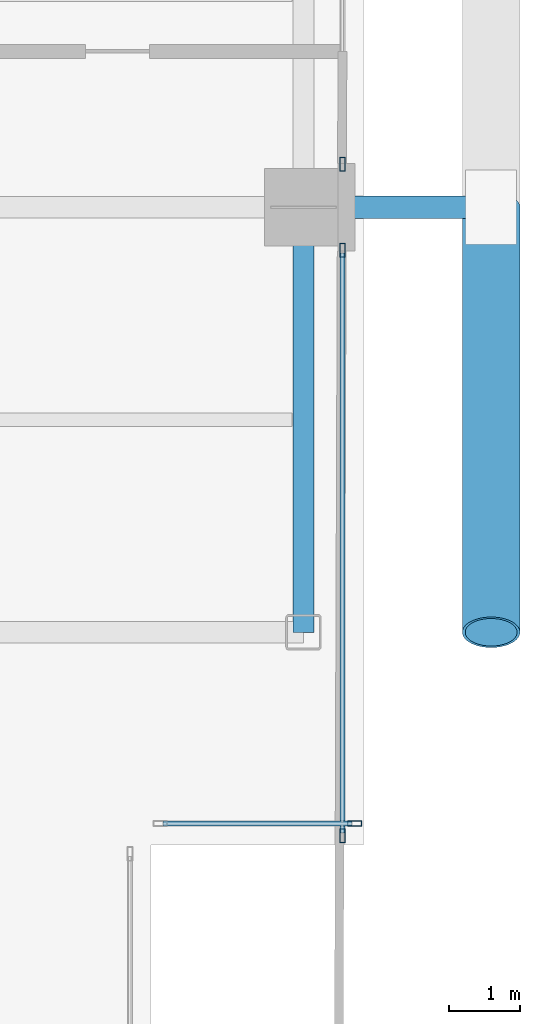
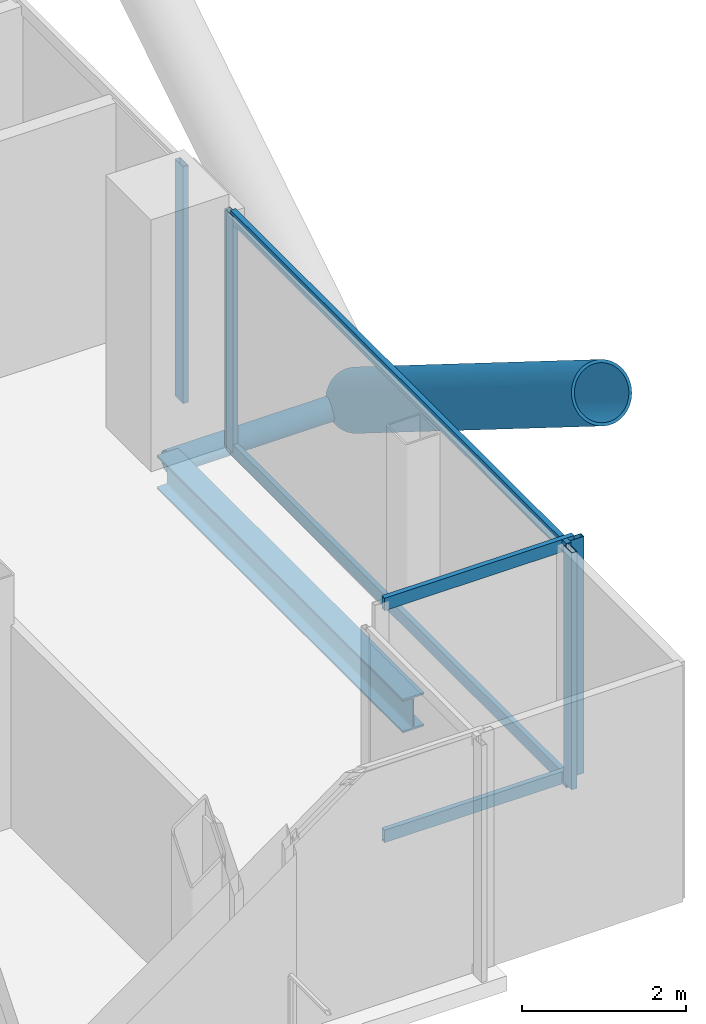
# One storey, part 12 of 28: 10 members, 1 beam, 3 elements without a shape of their own.
"""IFC4 building model written with IfcOpenShell, lengths in metres."""

from ifc_helpers import new_model, si_unit, direction, frame, origin, origin_2d, place, context, subcontext, project, spatial, hollow_rectangle, hollow_circle, i_section, extrude, material, layer, layer_set, material_profile, profile_set, type_object, element, aggregate, save


model = new_model("IFC4")

# Units and contexts
model_context = context("Model", 3, precision=1e-05, world=origin(), true_north=direction((0.0, 1.0)))
body_context = subcontext(model_context, "Body", "Model", "MODEL_VIEW")
ifc_project = project(units=[si_unit("LENGTHUNIT", "METRE"), si_unit("AREAUNIT", "SQUARE_METRE"), si_unit("VOLUMEUNIT", "CUBIC_METRE"), si_unit("PLANEANGLEUNIT", "RADIAN"), si_unit("MASSUNIT", "GRAM", prefix="KILO"), si_unit("THERMODYNAMICTEMPERATUREUNIT", "KELVIN"), si_unit("POWERUNIT", "WATT")], contexts=[model_context])

# Site, building, storey
site_placement = place(None, origin())
site = spatial("IfcSite", under=ifc_project, at=site_placement, CompositionType="ELEMENT")
building_placement = place(site_placement, origin())
building = spatial("IfcBuilding", under=site, at=building_placement, Name="Svarakhadi Broadcast Tower", CompositionType="ELEMENT")
storey_placement = place(building_placement, frame((0.0, 0.0, 153.14990234375)))
storey = spatial("IfcBuildingStorey", under=building, at=storey_placement, Name="L37", CompositionType="ELEMENT", Elevation=153.14990234375)

# Curtain wall, member
ifc_material_1 = material(Name="Anodised Bronze Aluminium AA 6063-T6", Category="aluminium")
ifc_layer = layer(ifc_material_1, 0.199951171875)
ifc_layer_set = layer_set([ifc_layer], Name="Anodised Bronze Aluminium AA 6063-T6")
curtain_wall_type = type_object("IfcCurtainWallType", Name="CW_Sys_03", PredefinedType="NOTDEFINED", material=ifc_layer_set)
curtain_wall_1_placement = place(storey_placement, origin())
curtain_wall_1 = element("IfcCurtainWall", 1, at=curtain_wall_1_placement, inside=storey, type_object=curtain_wall_type, Name="L37 Unitised Facade Curtain Wall 13 Bay 1", PredefinedType="NOTDEFINED")
ifc_material_profile_1 = material_profile(ifc_material_1, hollow_rectangle(XDim=0.074951171875, YDim=0.199951171875, WallThickness=0.005615234375, at=origin_2d()), Name="ALU MULLION 200x75x6")
ifc_profile_set_1 = profile_set([ifc_material_profile_1], Name="Anodised Bronze Aluminium AA 6063-T6")
member_type_1 = type_object("IfcMemberType", Name="CW_Sys_03_Mul", PredefinedType="MULLION", material=ifc_profile_set_1)
member_1_placement = place(storey_placement, frame((47.699951171875, 12.607421875, 0.0), z_axis=(0.0, 0.0, 1.0), x_axis=(1.0, 0.0, 0.0)))
member_1 = element("IfcMember", 2, at=member_1_placement, type_object=member_type_1, Name="CW-03 mullion 2", PredefinedType="MULLION", context=body_context, shape_type="SweptSolid", body=[
    extrude(hollow_rectangle(XDim=0.074951171875, YDim=0.199951171875, WallThickness=0.005615234375, at=origin_2d()), origin(), (0.0, 0.0, 1.0), 3.525146484375),
])
aggregate(curtain_wall_1, [member_1])

# Curtain wall, members
curtain_wall_2_placement = place(storey_placement, origin())
curtain_wall_2 = element("IfcCurtainWall", 3, at=curtain_wall_2_placement, inside=storey, type_object=curtain_wall_type, Name="L37 Unitised Facade Curtain Wall 13 Bay 2", PredefinedType="NOTDEFINED")
member_2_placement = place(storey_placement, frame((47.699951171875, 11.392578125, 0.0), z_axis=(0.0, 0.0, 1.0), x_axis=(1.0, 0.0, 0.0)))
member_2 = element("IfcMember", 4, at=member_2_placement, type_object=member_type_1, Name="CW-03 mullion 1", PredefinedType="MULLION", context=body_context, shape_type="SweptSolid", body=[
    extrude(hollow_rectangle(XDim=0.074951171875, YDim=0.199951171875, WallThickness=0.005615234375, at=origin_2d()), origin(), (0.0, 0.0, 1.0), 3.525146484375),
])
member_3_placement = place(storey_placement, frame((47.699951171875, 3.12744140625, 0.0), z_axis=(0.0, 0.0, 1.0), x_axis=(1.0, 0.0, 0.0)))
member_3 = element("IfcMember", 5, at=member_3_placement, type_object=member_type_1, Name="CW-03 mullion 2", PredefinedType="MULLION", context=body_context, shape_type="SweptSolid", body=[
    extrude(hollow_rectangle(XDim=0.074951171875, YDim=0.199951171875, WallThickness=0.005615234375, at=origin_2d()), origin(), (0.0, 0.0, 1.0), 3.525146484375),
])

# Curtain wall, member
curtain_wall_3_placement = place(storey_placement, origin())
curtain_wall_3 = element("IfcCurtainWall", 6, at=curtain_wall_3_placement, inside=storey, type_object=curtain_wall_type, Name="L37 Unitised Facade Curtain Wall 14", PredefinedType="NOTDEFINED")
member_4_placement = place(storey_placement, frame((47.87255859375, 3.300048828125, 0.0), z_axis=(0.0, 0.0, 1.0), x_axis=(0.0, -1.0, 0.0)))
member_4 = element("IfcMember", 7, at=member_4_placement, type_object=member_type_1, Name="CW-03 mullion 1", PredefinedType="MULLION", context=body_context, shape_type="SweptSolid", body=[
    extrude(hollow_rectangle(XDim=0.074951171875, YDim=0.199951171875, WallThickness=0.005615234375, at=origin_2d()), origin(), (0.0, 0.0, 1.0), 3.525146484375),
])

# Member
ifc_material_profile_2 = material_profile(ifc_material_1, hollow_rectangle(XDim=0.070068359375, YDim=0.18505859375, WallThickness=0.0048828125, at=origin_2d()), Name="ALU TRANSOM 185x70x5")
ifc_profile_set_2 = profile_set([ifc_material_profile_2], Name="Anodised Bronze Aluminium AA 6063-T6")
member_type_2 = type_object("IfcMemberType", Name="CW_Sys_03_Trn", PredefinedType="USERDEFINED", material=ifc_profile_set_2)
member_5_placement = place(storey_placement, frame((47.699951171875, 11.35498046875, 0.03515625), z_axis=(0.0, -1.0, 0.0), x_axis=(1.0, 0.0, 0.0)))
member_5 = element("IfcMember", 8, at=member_5_placement, type_object=member_type_2, Name="CW-03 transom 1.1", ObjectType="TRANSOM", PredefinedType="USERDEFINED", context=body_context, shape_type="SweptSolid", body=[
    extrude(hollow_rectangle(XDim=0.070068359375, YDim=0.18505859375, WallThickness=0.0048828125, at=origin_2d()), origin(), (0.0, 0.0, 1.0), 8.18994140625),
])

member_6_placement = place(storey_placement, frame((47.699951171875, 11.35498046875, 3.489990234375), z_axis=(0.0, -1.0, 0.0), x_axis=(1.0, 0.0, 0.0)))
member_6 = element("IfcMember", 9, at=member_6_placement, type_object=member_type_2, Name="CW-03 transom 1.2", ObjectType="TRANSOM", PredefinedType="USERDEFINED", context=body_context, shape_type="SweptSolid", body=[
    extrude(hollow_rectangle(XDim=0.070068359375, YDim=0.18505859375, WallThickness=0.0048828125, at=origin_2d()), origin(), (0.0, 0.0, 1.0), 8.18994140625),
])

aggregate(curtain_wall_2, [member_2, member_3, member_5, member_6])

member_7_placement = place(storey_placement, frame((47.8349609375, 3.300048828125, 0.03515625), z_axis=(-1.0, 0.0, 0.0), x_axis=(0.0, -1.0, 0.0)))
member_7 = element("IfcMember", 10, at=member_7_placement, type_object=member_type_2, Name="CW-03 transom 1.1", ObjectType="TRANSOM", PredefinedType="USERDEFINED", context=body_context, shape_type="SweptSolid", body=[
    extrude(hollow_rectangle(XDim=0.070068359375, YDim=0.18505859375, WallThickness=0.0048828125, at=origin_2d()), origin(), (0.0, 0.0, 1.0), 2.669921875),
])

member_8_placement = place(storey_placement, frame((47.8349609375, 3.300048828125, 3.489990234375), z_axis=(-1.0, 0.0, 0.0), x_axis=(0.0, -1.0, 0.0)))
member_8 = element("IfcMember", 11, at=member_8_placement, type_object=member_type_2, Name="CW-03 transom 1.2", ObjectType="TRANSOM", PredefinedType="USERDEFINED", context=body_context, shape_type="SweptSolid", body=[
    extrude(hollow_rectangle(XDim=0.070068359375, YDim=0.18505859375, WallThickness=0.0048828125, at=origin_2d()), origin(), (0.0, 0.0, 1.0), 2.669921875),
])

aggregate(curtain_wall_3, [member_4, member_7, member_8])

# Members
ifc_material_2 = material(Name="Steel S460ML (IS 2062 E450BR)", Category="steel")
ifc_material_profile_3 = material_profile(ifc_material_2, hollow_circle(Radius=0.406494140625, WallThickness=0.0400390625, at=origin_2d()), Name="CHS 813x40")
ifc_profile_set_3 = profile_set([ifc_material_profile_3], Name="Steel S460ML (IS 2062 E450BR)")
member_type_3 = type_object("IfcMemberType", Name="Exo_Brace_CHS813", PredefinedType="BRACE", material=ifc_profile_set_3)
member_9_placement = place(storey_placement, frame((49.800048828125, 12.0, -0.386962890625), z_axis=(0.0, -0.847998304005, 0.529998940003), x_axis=(1.0, 0.0, 0.0)))
element("IfcMember", 12, at=member_9_placement, inside=storey, type_object=member_type_3, Name="L37 Exposed Bronze Exoskeleton Diagonal E08", PredefinedType="BRACE", context=body_context, shape_type="SweptSolid", body=[
    extrude(hollow_circle(Radius=0.406494140625, WallThickness=0.0400390625, at=origin_2d()), origin(), (0.0, 0.0, 1.0), 7.075439453125),
])
ifc_material_profile_4 = material_profile(ifc_material_2, hollow_circle(Radius=0.161865234375, WallThickness=0.01611328125, at=origin_2d()), Name="CHS 323.9x16")
ifc_profile_set_4 = profile_set([ifc_material_profile_4], Name="Steel S460ML (IS 2062 E450BR)")
member_type_4 = type_object("IfcMemberType", Name="Exo_Radial_Strut_Z2", PredefinedType="STRUT", material=ifc_profile_set_4)
member_10_placement = place(storey_placement, frame((49.800048828125, 12.0, -0.386962890625), z_axis=(-1.0, 0.0, 0.0), x_axis=(0.0, -1.0, 0.0)))
element("IfcMember", 13, at=member_10_placement, inside=storey, type_object=member_type_4, Name="L37 Exoskeleton Radial Tie Strut E05", PredefinedType="STRUT", context=body_context, shape_type="SweptSolid", body=[
    extrude(hollow_circle(Radius=0.161865234375, WallThickness=0.01611328125, at=origin_2d()), origin(), (0.0, 0.0, 1.0), 2.650146484375),
])

# Beam
ifc_material_3 = material(Name="Steel S355J2 (IS 2062 E350C)", Category="steel")
ifc_material_profile_5 = material_profile(ifc_material_3, i_section(OverallWidth=0.300048828125, OverallDepth=0.5, WebThickness=0.014404296875, FlangeThickness=0.028076171875, FilletRadius=0.027099609375, at=origin_2d()), Name="WPB 500x300x187")
ifc_profile_set_5 = profile_set([ifc_material_profile_5], Name="Steel S355J2 (IS 2062 E350C)")
beam_type = type_object("IfcBeamType", Name="Girder_WPB500", PredefinedType="USERDEFINED", material=ifc_profile_set_5)
beam_placement = place(storey_placement, frame((47.14990234375, 6.0, -0.474853515625), z_axis=(0.0, 1.0, 0.0), x_axis=(-1.0, 0.0, 0.0)))
element("IfcBeam", 14, at=beam_placement, inside=storey, type_object=beam_type, Name="L37 Primary N-S Girder G073", ObjectType="GIRDER", PredefinedType="USERDEFINED", context=body_context, shape_type="SweptSolid", body=[
    extrude(i_section(OverallWidth=0.300048828125, OverallDepth=0.5, WebThickness=0.014404296875, FlangeThickness=0.028076171875, FilletRadius=0.027099609375, at=origin_2d()), origin(), (0.0, 0.0, 1.0), 6.0),
])

save(model, "model.ifc")
